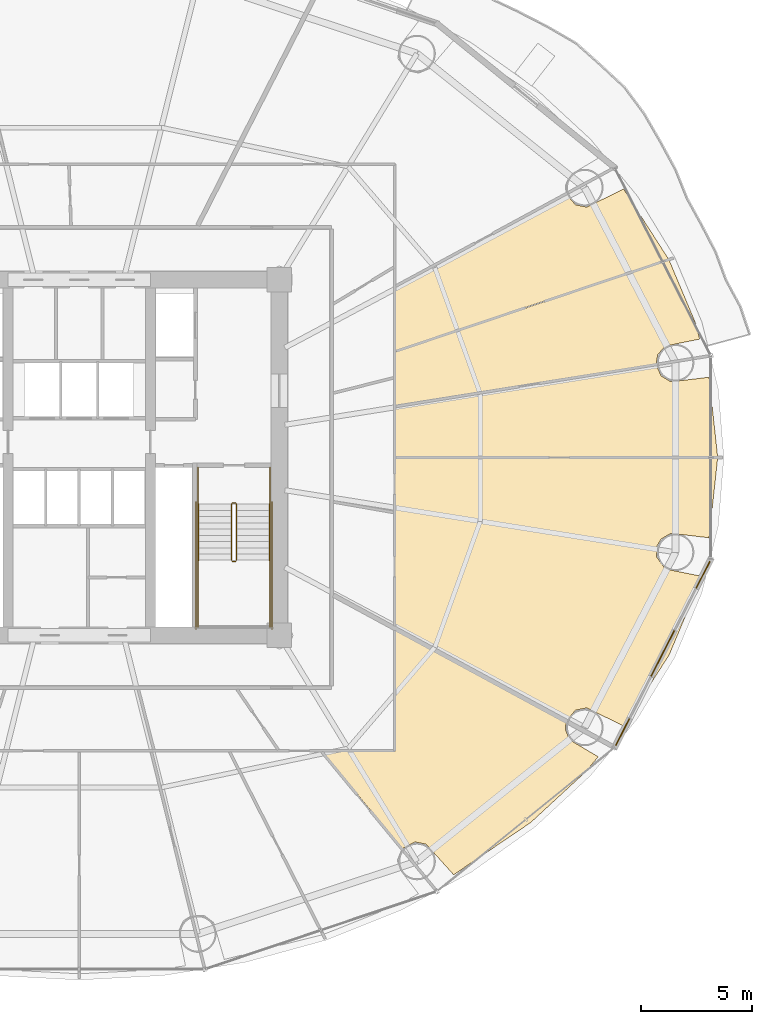
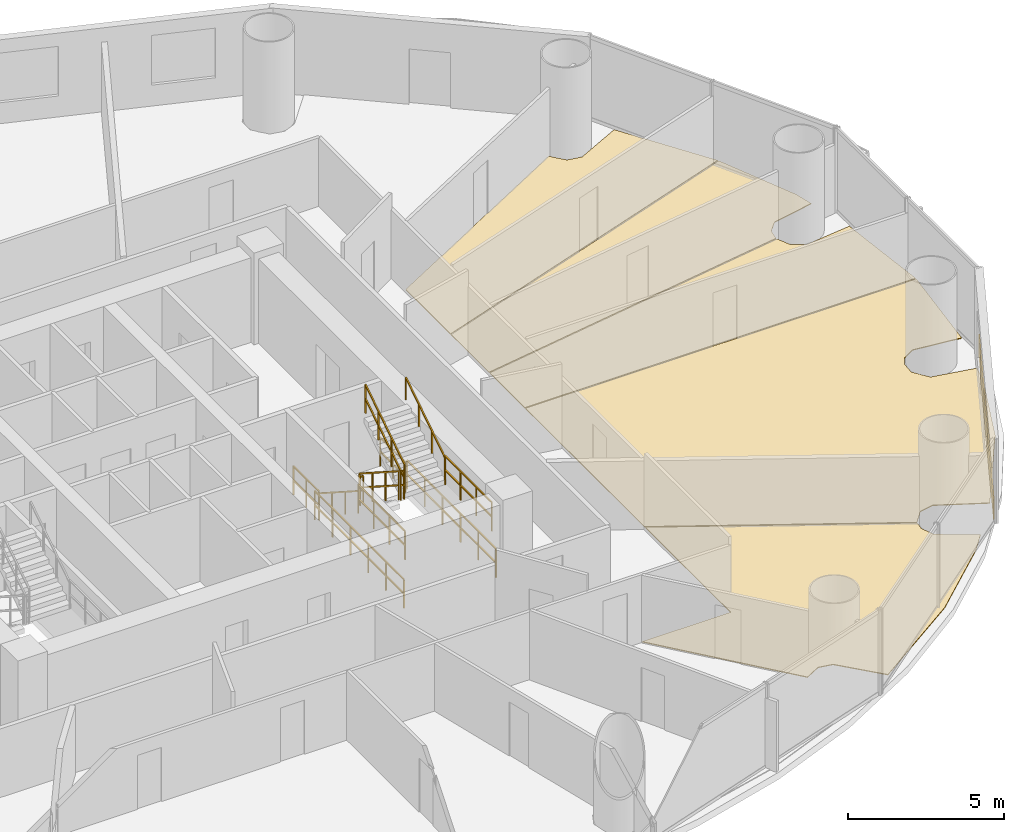
# One storey, part 28 of 29: 12 railings, 6 coverings.
"""IFC4 building model written with IfcOpenShell, lengths in metres."""

from ifc_helpers import new_model, si_unit, direction, frame, origin, origin_2d, place, context, subcontext, project, spatial, polyline, rectangle, outline, extrude, source, transform, mapped, material, layer, layer_set, type_object, element, save


model = new_model("IFC4")

# Units and contexts
model_context = context("Model", 3, precision=1e-05, world=origin(), true_north=direction((-0.2419218956, 0.970295726276)))
body_context = subcontext(model_context, "Body", "Model", "MODEL_VIEW")
ifc_project = project(units=[si_unit("LENGTHUNIT", "METRE"), si_unit("AREAUNIT", "SQUARE_METRE"), si_unit("VOLUMEUNIT", "CUBIC_METRE"), si_unit("PLANEANGLEUNIT", "RADIAN"), si_unit("MASSUNIT", "GRAM", prefix="KILO")], contexts=[model_context])

# Site, building, storey
site_placement = place(None, origin())
site = spatial("IfcSite", under=ifc_project, at=site_placement, CompositionType="ELEMENT")
building_placement = place(site_placement, origin())
building = spatial("IfcBuilding", under=site, at=building_placement, Name="Cobrevalo Terracotta Tower", CompositionType="ELEMENT")
storey_placement = place(building_placement, frame((0.0, 0.0, 52.800048828125)))
storey = spatial("IfcBuildingStorey", under=building, at=storey_placement, Name="L13", CompositionType="ELEMENT", Elevation=52.800048828125)

# Coverings
ifc_material_1 = material(Name="Engineered Brazilian hardwood flooring", Category="wood")
ifc_layer_1 = layer(ifc_material_1, 0.028076171875)
ifc_layer_set_1 = layer_set([ifc_layer_1], Name="Engineered Brazilian hardwood flooring")
covering_type_1 = type_object("IfcCoveringType", Name="Engineered Hardwood Suite Flooring 28", PredefinedType="FLOORING", material=ifc_layer_set_1)
covering_1_placement = place(storey_placement, origin())
element("IfcCovering", 1, at=covering_1_placement, inside=storey, type_object=covering_type_1, Name="Flat L13A Penthouse Living and Dining Room floor finish", PredefinedType="FLOORING", context=body_context, shape_type="SweptSolid", body=[
    extrude(outline(polyline([(62.488037109375, 14.7255859375), (60.826416015625, 15.53662109375), (60.325439453125, 15.436767578125), (59.915283203125, 14.95654296875), (52.215087890625, 19.1259765625), (52.215087890625, 26.780029296875), (66.71826171875, 26.780029296875), (66.331298828125, 23.18896484375), (64.619384765625, 23.39306640625), (64.178466796875, 23.135009765625), (63.9990234375, 22.84228515625), (63.968505859375, 22.332275390625), (64.3642578125, 21.787109375), (65.909423828125, 21.473876953125), (65.74169921875, 20.791259765625), (64.534423828125, 17.91552734375), (62.488037109375, 14.7255859375)])), origin(), (0.0, 0.0, 1.0), 0.030029296875),
])
covering_2_placement = place(storey_placement, origin())
element("IfcCovering", 2, at=covering_2_placement, inside=storey, type_object=covering_type_1, Name="Flat L13A Master Bedroom floor finish", PredefinedType="FLOORING", context=body_context, shape_type="SweptSolid", body=[
    extrude(outline(polyline([(63.952880859375, 30.963134765625), (64.178466796875, 30.465087890625), (64.619384765625, 30.206787109375), (66.331298828125, 30.4111328125), (66.71826171875, 26.820068359375), (52.215087890625, 26.820068359375), (52.215087890625, 29.071044921875), (63.952880859375, 30.963134765625)])), origin(), (0.0, 0.0, 1.0), 0.030029296875),
])
covering_3_placement = place(storey_placement, origin())
element("IfcCovering", 3, at=covering_3_placement, inside=storey, type_object=covering_type_1, Name="Flat L13A Principal Guest Bedroom floor finish", PredefinedType="FLOORING", context=body_context, shape_type="SweptSolid", body=[
    extrude(outline(polyline([(64.531494140625, 35.684326171875), (65.74169921875, 32.80859375), (65.909423828125, 32.126220703125), (64.3642578125, 31.81298828125), (64.025146484375, 31.4306640625), (63.95068359375, 31.003173828125), (52.215087890625, 29.111572265625), (52.215087890625, 31.55029296875), (64.531494140625, 35.684326171875)])), origin(), (0.0, 0.0, 1.0), 0.030029296875),
])
covering_4_placement = place(storey_placement, origin())
element("IfcCovering", 4, at=covering_4_placement, inside=storey, type_object=covering_type_1, Name="Flat L13A Principal Guest Bedroom floor finish", PredefinedType="FLOORING", context=body_context, shape_type="SweptSolid", body=[
    extrude(outline(polyline([(59.915283203125, 38.643310546875), (60.325439453125, 38.163330078125), (60.826416015625, 38.063232421875), (62.488037109375, 38.87451171875), (64.5126953125, 35.72021484375), (52.215087890625, 31.592529296875), (52.215087890625, 34.47412109375), (59.915283203125, 38.643310546875)])), origin(), (0.0, 0.0, 1.0), 0.030029296875),
])
covering_5_placement = place(storey_placement, origin())
element("IfcCovering", 5, at=covering_5_placement, inside=storey, type_object=covering_type_1, Name="Flat L13D Penthouse Family Lounge floor finish", PredefinedType="FLOORING", context=body_context, shape_type="SweptSolid", body=[
    extrude(outline(polyline([(54.843505859375, 8.03271484375), (53.6025390625, 9.412353515625), (53.100341796875, 9.50732421875), (52.531982421875, 9.20751953125), (48.922607421875, 13.5849609375), (52.215087890625, 13.5849609375), (52.215087890625, 19.08056640625), (59.90234375, 14.91796875), (59.864990234375, 14.573974609375), (60.060791015625, 14.10205078125), (61.34423828125, 13.341064453125), (60.786376953125, 12.666259765625), (58.3095703125, 10.38232421875), (54.843505859375, 8.03271484375)])), origin(), (0.0, 0.0, 1.0), 0.030029296875),
])

# Railings
ifc_material_2 = material(Name="Brushed stainless steel", Category="steel")
railing_type_1 = type_object("IfcRailingType", Name="Stainless Steel Stair Handrail 900", PredefinedType="HANDRAIL", material=ifc_material_2)
railing_1_placement = place(storey_placement, frame((43.35498046875, 24.699951171875, 0.179931640625)))
element("IfcRailing", 6, at=railing_1_placement, inside=storey, type_object=railing_type_1, Name="L13 ST-2 stair handrail 1", PredefinedType="HANDRAIL", context=body_context, shape_type="SweptSolid", body=[
    extrude(rectangle(XDim=0.048095703125, YDim=0.048095703125, at=origin_2d()), frame((0.0, 0.0, 0.8759765625), z_axis=(0.0, -0.841162588446, 0.540782303519), x_axis=(1.0, 0.0, 0.0)), (0.0, 0.0, 1.0), 2.995849609375),
    extrude(rectangle(XDim=0.0419921875, YDim=0.0419921875, at=origin_2d()), origin(), (0.0, 0.0, 1.0), 0.851806640625),
    extrude(rectangle(XDim=0.0419921875, YDim=0.0419921875, at=origin_2d()), frame((0.0, -0.840087890625, 0.5400390625)), (0.0, 0.0, 1.0), 0.851806640625),
    extrude(rectangle(XDim=0.0419921875, YDim=0.0419921875, at=origin_2d()), frame((0.0, -1.679931640625, 1.080078125)), (0.0, 0.0, 1.0), 0.851806640625),
    extrude(rectangle(XDim=0.0419921875, YDim=0.0419921875, at=origin_2d()), frame((0.0, -2.52001953125, 1.6201171875)), (0.0, 0.0, 1.0), 0.851806640625),
])
railing_2_placement = place(storey_placement, frame((46.574951171875, 22.179931640625, 1.97998046875)))
element("IfcRailing", 7, at=railing_2_placement, inside=storey, type_object=railing_type_1, Name="L13 ST-2 stair handrail 2", PredefinedType="HANDRAIL", context=body_context, shape_type="SweptSolid", body=[
    extrude(rectangle(XDim=0.048095703125, YDim=0.048095703125, at=origin_2d()), frame((0.0, 0.0, 0.8759765625), z_axis=(0.0, 0.841199657755, 0.540724639528), x_axis=(-1.0, 0.0, 0.0)), (0.0, 0.0, 1.0), 2.995849609375),
    extrude(rectangle(XDim=0.0419921875, YDim=0.0419921875, at=origin_2d()), origin(), (0.0, 0.0, 1.0), 0.851806640625),
    extrude(rectangle(XDim=0.0419921875, YDim=0.0419921875, at=origin_2d()), frame((0.0, 0.840087890625, 0.5400390625)), (0.0, 0.0, 1.0), 0.851806640625),
    extrude(rectangle(XDim=0.0419921875, YDim=0.0419921875, at=origin_2d()), frame((0.0, 1.679931640625, 1.079833984375)), (0.0, 0.0, 1.0), 0.851806640625),
    extrude(rectangle(XDim=0.0419921875, YDim=0.0419921875, at=origin_2d()), frame((0.0, 2.52001953125, 1.619873046875)), (0.0, 0.0, 1.0), 0.851806640625),
])
ifc_material_3 = material(Name="Painted galvanized steel", Category="steel")
railing_type_2 = type_object("IfcRailingType", Name="Stair Well Guard Balustrade 1150", PredefinedType="GUARDRAIL", material=ifc_material_3)
railing_3_placement = place(storey_placement, frame((44.85498046875, 24.699951171875, 0.179931640625)))
element("IfcRailing", 8, at=railing_3_placement, inside=storey, type_object=railing_type_2, Name="L13 ST-2 stair guard 1", PredefinedType="GUARDRAIL", context=body_context, shape_type="SweptSolid", body=[
    extrude(rectangle(XDim=0.048095703125, YDim=0.048095703125, at=origin_2d()), frame((0.0, 0.0, 1.1259765625), z_axis=(0.0, -0.841162588446, 0.540782303519), x_axis=(1.0, 0.0, 0.0)), (0.0, 0.0, 1.0), 2.995849609375),
    extrude(rectangle(XDim=0.048095703125, YDim=0.048095703125, at=origin_2d()), frame((0.0, 0.0, 0.574951171875), z_axis=(0.0, -0.841162588446, 0.540782303519), x_axis=(1.0, 0.0, 0.0)), (0.0, 0.0, 1.0), 2.995849609375),
    extrude(rectangle(XDim=0.0419921875, YDim=0.0419921875, at=origin_2d()), origin(), (0.0, 0.0, 1.0), 1.101806640625),
    extrude(rectangle(XDim=0.0419921875, YDim=0.0419921875, at=origin_2d()), frame((0.0, -0.840087890625, 0.5400390625)), (0.0, 0.0, 1.0), 1.101806640625),
    extrude(rectangle(XDim=0.0419921875, YDim=0.0419921875, at=origin_2d()), frame((0.0, -1.679931640625, 1.080078125)), (0.0, 0.0, 1.0), 1.101806640625),
    extrude(rectangle(XDim=0.0419921875, YDim=0.0419921875, at=origin_2d()), frame((0.0, -2.52001953125, 1.6201171875)), (0.0, 0.0, 1.0), 1.101806640625),
])
railing_4_placement = place(storey_placement, frame((44.905029296875, 22.1298828125, 1.800048828125)))
element("IfcRailing", 9, at=railing_4_placement, inside=storey, type_object=railing_type_2, Name="L13 ST-2 stair guard 2", PredefinedType="GUARDRAIL", context=body_context, shape_type="SweptSolid", body=[
    extrude(rectangle(XDim=0.048095703125, YDim=0.048095703125, at=origin_2d()), frame((0.0, 0.0, 1.1259765625), z_axis=(1.0, 0.0, 0.0), x_axis=(0.0, 1.0, 0.0)), (0.0, 0.0, 1.0), 0.119873046875),
    extrude(rectangle(XDim=0.048095703125, YDim=0.048095703125, at=origin_2d()), frame((0.0, 0.0, 0.574951171875), z_axis=(1.0, 0.0, 0.0), x_axis=(0.0, 1.0, 0.0)), (0.0, 0.0, 1.0), 0.119873046875),
    extrude(rectangle(XDim=0.0419921875, YDim=0.0419921875, at=origin_2d()), origin(), (0.0, 0.0, 1.0), 1.101806640625),
    extrude(rectangle(XDim=0.0419921875, YDim=0.0419921875, at=origin_2d()), frame((0.119873046875, 0.0, 0.0)), (0.0, 0.0, 1.0), 1.101806640625),
])
for number, where, name in (
    (10, (43.35498046875, 22.179931640625, 1.800048828125), "L13 ST-2 stair guard 3"),
    (11, (46.574951171875, 22.179931640625, 1.800048828125), "L13 ST-2 stair guard 4"),
):
    element("IfcRailing", number, at=place(storey_placement, frame(where)), inside=storey, type_object=railing_type_2, Name=name, PredefinedType="GUARDRAIL", context=body_context, shape_type="SweptSolid", body=[
        extrude(rectangle(XDim=0.048095703125, YDim=0.048095703125, at=origin_2d()), frame((0.0, 0.0, 1.1259765625), z_axis=(0.0, -1.0, 0.0), x_axis=(1.0, 0.0, 0.0)), (0.0, 0.0, 1.0), 3.0048828125),
        extrude(rectangle(XDim=0.048095703125, YDim=0.048095703125, at=origin_2d()), frame((0.0, 0.0, 0.574951171875), z_axis=(0.0, -1.0, 0.0), x_axis=(1.0, 0.0, 0.0)), (0.0, 0.0, 1.0), 3.0048828125),
        extrude(rectangle(XDim=0.0419921875, YDim=0.0419921875, at=origin_2d()), origin(), (0.0, 0.0, 1.0), 1.101806640625),
        extrude(rectangle(XDim=0.0419921875, YDim=0.0419921875, at=origin_2d()), frame((0.0, -1.001708984375, 0.0)), (0.0, 0.0, 1.0), 1.101806640625),
        extrude(rectangle(XDim=0.0419921875, YDim=0.0419921875, at=origin_2d()), frame((0.0, -2.003173828125, 0.0)), (0.0, 0.0, 1.0), 1.101806640625),
        extrude(rectangle(XDim=0.0419921875, YDim=0.0419921875, at=origin_2d()), frame((0.0, -3.0048828125, 0.0)), (0.0, 0.0, 1.0), 1.101806640625),
    ])
railing_5_placement = place(storey_placement, frame((45.074951171875, 22.179931640625, 1.97998046875)))
element("IfcRailing", 12, at=railing_5_placement, inside=storey, type_object=railing_type_2, Name="L13 ST-2 stair guard 6", PredefinedType="GUARDRAIL", context=body_context, shape_type="SweptSolid", body=[
    extrude(rectangle(XDim=0.048095703125, YDim=0.048095703125, at=origin_2d()), frame((0.0, 0.0, 1.1259765625), z_axis=(0.0, 0.841199657755, 0.540724639528), x_axis=(-1.0, 0.0, 0.0)), (0.0, 0.0, 1.0), 2.995849609375),
    extrude(rectangle(XDim=0.048095703125, YDim=0.048095703125, at=origin_2d()), frame((0.0, 0.0, 0.574951171875), z_axis=(0.0, 0.841199657755, 0.540724639528), x_axis=(-1.0, 0.0, 0.0)), (0.0, 0.0, 1.0), 2.995849609375),
    extrude(rectangle(XDim=0.0419921875, YDim=0.0419921875, at=origin_2d()), origin(), (0.0, 0.0, 1.0), 1.101806640625),
    extrude(rectangle(XDim=0.0419921875, YDim=0.0419921875, at=origin_2d()), frame((0.0, 0.840087890625, 0.5400390625)), (0.0, 0.0, 1.0), 1.101806640625),
    extrude(rectangle(XDim=0.0419921875, YDim=0.0419921875, at=origin_2d()), frame((0.0, 1.679931640625, 1.079833984375)), (0.0, 0.0, 1.0), 1.101806640625),
    extrude(rectangle(XDim=0.0419921875, YDim=0.0419921875, at=origin_2d()), frame((0.0, 2.52001953125, 1.619873046875)), (0.0, 0.0, 1.0), 1.101806640625),
])
railing_6_placement = place(storey_placement, frame((44.905029296875, 24.75, 0.0)))
element("IfcRailing", 13, at=railing_6_placement, inside=storey, type_object=railing_type_2, Name="L13 ST-2 stair guard 7", PredefinedType="GUARDRAIL", context=body_context, shape_type="SweptSolid", body=[
    extrude(rectangle(XDim=0.048095703125, YDim=0.048095703125, at=origin_2d()), frame((0.0, 0.0, 1.1259765625), z_axis=(1.0, 0.0, 0.0), x_axis=(0.0, 1.0, 0.0)), (0.0, 0.0, 1.0), 0.119873046875),
    extrude(rectangle(XDim=0.048095703125, YDim=0.048095703125, at=origin_2d()), frame((0.0, 0.0, 0.574951171875), z_axis=(1.0, 0.0, 0.0), x_axis=(0.0, 1.0, 0.0)), (0.0, 0.0, 1.0), 0.119873046875),
    extrude(rectangle(XDim=0.0419921875, YDim=0.0419921875, at=origin_2d()), origin(), (0.0, 0.0, 1.0), 1.101806640625),
    extrude(rectangle(XDim=0.0419921875, YDim=0.0419921875, at=origin_2d()), frame((0.119873046875, 0.0, 0.0)), (0.0, 0.0, 1.0), 1.101806640625),
])
for number, where, name in (
    (14, (43.35498046875, 26.35009765625, 0.0), "L13 ST-2 stair guard 8"),
    (15, (46.574951171875, 26.35009765625, 0.0), "L13 ST-2 stair guard 9"),
):
    element("IfcRailing", number, at=place(storey_placement, frame(where)), inside=storey, type_object=railing_type_2, Name=name, PredefinedType="GUARDRAIL", context=body_context, shape_type="SweptSolid", body=[
        extrude(rectangle(XDim=0.048095703125, YDim=0.048095703125, at=origin_2d()), frame((0.0, 0.0, 1.1259765625), z_axis=(0.0, -1.0, 0.0), x_axis=(1.0, 0.0, 0.0)), (0.0, 0.0, 1.0), 1.650146484375),
        extrude(rectangle(XDim=0.048095703125, YDim=0.048095703125, at=origin_2d()), frame((0.0, 0.0, 0.574951171875), z_axis=(0.0, -1.0, 0.0), x_axis=(1.0, 0.0, 0.0)), (0.0, 0.0, 1.0), 1.650146484375),
        extrude(rectangle(XDim=0.0419921875, YDim=0.0419921875, at=origin_2d()), origin(), (0.0, 0.0, 1.0), 1.101806640625),
        extrude(rectangle(XDim=0.0419921875, YDim=0.0419921875, at=origin_2d()), frame((0.0, -0.8251953125, 0.0)), (0.0, 0.0, 1.0), 1.101806640625),
        extrude(rectangle(XDim=0.0419921875, YDim=0.0419921875, at=origin_2d()), frame((0.0, -1.650146484375, 0.0)), (0.0, 0.0, 1.0), 1.101806640625),
    ])
for number, where, name in (
    (16, (43.2548828125, 24.800048828125, 0.0), "L13 ST-2 stair guard 10"),
    (17, (46.675048828125, 24.800048828125, 0.0), "L13 ST-2 stair guard 11"),
):
    element("IfcRailing", number, at=place(storey_placement, frame(where)), inside=storey, type_object=railing_type_2, Name=name, PredefinedType="GUARDRAIL", context=body_context, shape_type="SweptSolid", body=[
        extrude(rectangle(XDim=0.048095703125, YDim=0.048095703125, at=origin_2d()), frame((0.0, 0.0, 1.1259765625), z_axis=(0.0, -1.0, 0.0), x_axis=(1.0, 0.0, 0.0)), (0.0, 0.0, 1.0), 5.72509765625),
        extrude(rectangle(XDim=0.048095703125, YDim=0.048095703125, at=origin_2d()), frame((0.0, 0.0, 0.574951171875), z_axis=(0.0, -1.0, 0.0), x_axis=(1.0, 0.0, 0.0)), (0.0, 0.0, 1.0), 5.72509765625),
        extrude(rectangle(XDim=0.0419921875, YDim=0.0419921875, at=origin_2d()), origin(), (0.0, 0.0, 1.0), 1.101806640625),
        extrude(rectangle(XDim=0.0419921875, YDim=0.0419921875, at=origin_2d()), frame((0.0, -1.14501953125, 0.0)), (0.0, 0.0, 1.0), 1.101806640625),
        extrude(rectangle(XDim=0.0419921875, YDim=0.0419921875, at=origin_2d()), frame((0.0, -2.2900390625, 0.0)), (0.0, 0.0, 1.0), 1.101806640625),
        extrude(rectangle(XDim=0.0419921875, YDim=0.0419921875, at=origin_2d()), frame((0.0, -3.43505859375, 0.0)), (0.0, 0.0, 1.0), 1.101806640625),
        extrude(rectangle(XDim=0.0419921875, YDim=0.0419921875, at=origin_2d()), frame((0.0, -4.580078125, 0.0)), (0.0, 0.0, 1.0), 1.101806640625),
        extrude(rectangle(XDim=0.0419921875, YDim=0.0419921875, at=origin_2d()), frame((0.0, -5.72509765625, 0.0)), (0.0, 0.0, 1.0), 1.101806640625),
    ])

# Covering
ifc_material_4 = material(Name="Glazed terracotta facade cladding tile", Category="masonry")
ifc_layer_2 = layer(ifc_material_4, 0.044921875)
ifc_layer_set_2 = layer_set([ifc_layer_2], Name="Glazed terracotta facade cladding tile")
covering_type_2 = type_object("IfcCoveringType", Name="Architectural terracotta rainscreen spandrel cladding 45 mm", PredefinedType="CLADDING", material=ifc_layer_set_2)
shared_shape = source(origin(), body_context, "Body", "SweptSolid", [
    extrude(rectangle(XDim=9.30224609375, YDim=0.044921875, at=origin_2d()), origin(), (0.0, 0.0, 1.0), 0.760009765625),
])
covering_6_placement = place(storey_placement, frame((64.25048828125, 17.990966796875, 0.0400390625), z_axis=(0.0, 0.0, 1.0), x_axis=(0.45523102861, 0.890373354605, 0.0)))
element("IfcCovering", 18, at=covering_6_placement, inside=storey, type_object=covering_type_2, Name="L13 terracotta spandrel cladding S15", PredefinedType="CLADDING", context=body_context, shape_type="MappedRepresentation", body=[
    mapped(shared_shape, transform((0.0, 0.0, 0.0), scale=1.0)),
])

save(model, "model.ifc")
